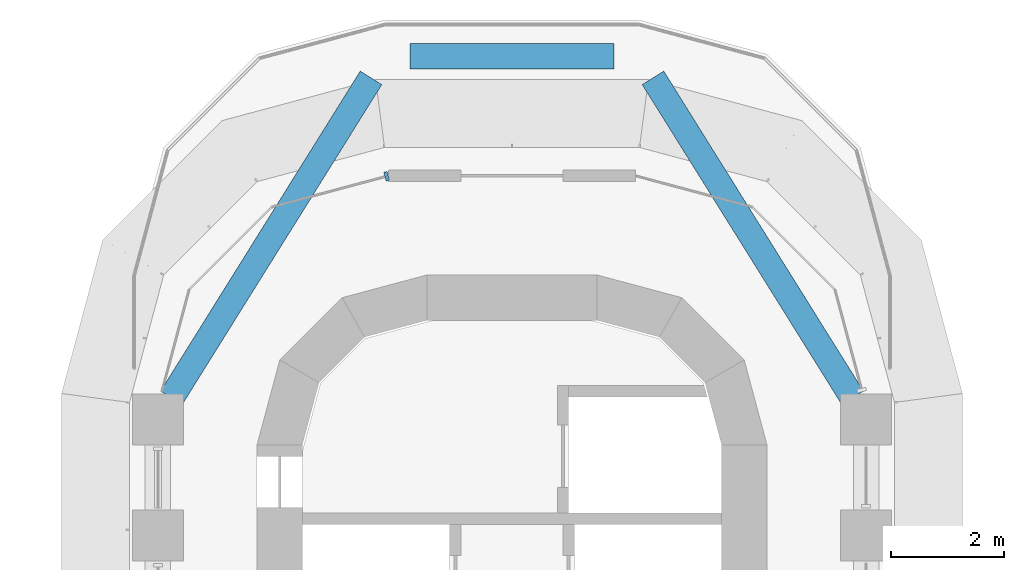
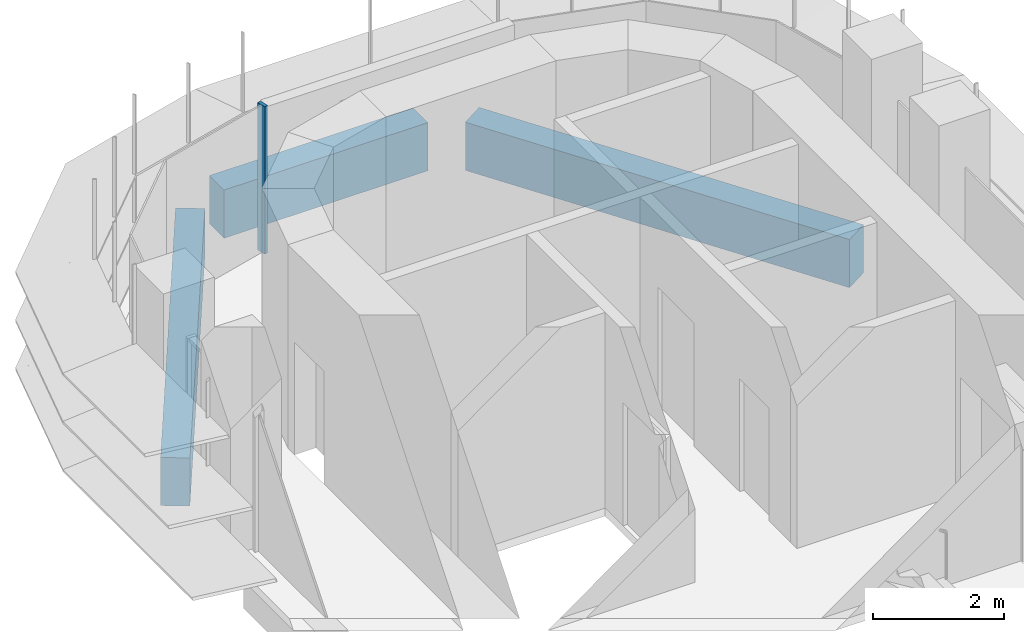
# One storey, part 11 of 22: 3 beams, 1 member, 1 element without a shape of its own.
"""IFC4 building model written with IfcOpenShell, lengths in metres."""

from ifc_helpers import new_model, si_unit, direction, frame, origin, origin_2d, place, context, subcontext, project, spatial, polyline, rectangle, outline, extrude, source, transform, mapped, material, material_profile, profile_set, type_object, element, aggregate, save


model = new_model("IFC4")

# Units and contexts
model_context = context("Model", 3, precision=1e-05, world=origin(), true_north=direction((0.0, 1.0)))
body_context = subcontext(model_context, "Body", "Model", "MODEL_VIEW")
ifc_project = project(units=[si_unit("LENGTHUNIT", "METRE"), si_unit("AREAUNIT", "SQUARE_METRE"), si_unit("VOLUMEUNIT", "CUBIC_METRE"), si_unit("PLANEANGLEUNIT", "RADIAN"), si_unit("MASSUNIT", "GRAM", prefix="KILO")], contexts=[model_context])

# Site, building, storey
site_placement = place(None, origin())
site = spatial("IfcSite", under=ifc_project, at=site_placement, CompositionType="ELEMENT")
building_placement = place(site_placement, origin())
building = spatial("IfcBuilding", under=site, at=building_placement, Name="Zarbagh Exchange Tower", CompositionType="ELEMENT")
storey_placement = place(building_placement, frame((0.0, 0.0, 94.199951171875)))
storey = spatial("IfcBuildingStorey", under=building, at=storey_placement, Name="L21", CompositionType="ELEMENT", Elevation=94.199951171875)

# Beams
ifc_material_1 = material(Name="Concrete C60/75", Category="concrete")
ifc_material_profile = material_profile(ifc_material_1, rectangle(XDim=0.449951171875, YDim=0.89990234375, at=origin_2d()), Name="RC spandrel beam 450 x 900 C60/75")
ifc_profile_set = profile_set([ifc_material_profile], Name="Concrete C60/75")
beam_type = type_object("IfcBeamType", Name="RC spandrel beam 450 x 900 C60/75", PredefinedType="SPANDREL", material=ifc_profile_set)
beam_1_placement = place(storey_placement, frame((-6.01171875, 27.081787109375, -0.599853515625), z_axis=(0.52939211169, 0.848377269898, 0.0), x_axis=(-0.848377269898, 0.52939211169, 0.0)))
element("IfcBeam", 1, at=beam_1_placement, inside=storey, type_object=beam_type, Name="RC spandrel beam", PredefinedType="SPANDREL", context=body_context, shape_type="SweptSolid", body=[
    extrude(rectangle(XDim=0.449951171875, YDim=0.89990234375, at=origin_2d()), origin(), (0.0, 0.0, 1.0), 6.655517578125),
])
beam_2_placement = place(storey_placement, frame((-1.800048828125, 33.110107421875, -0.599853515625), z_axis=(1.0, 0.0, 0.0), x_axis=(0.0, 1.0, 0.0)))
element("IfcBeam", 2, at=beam_2_placement, inside=storey, type_object=beam_type, Name="RC spandrel beam", PredefinedType="SPANDREL", context=body_context, shape_type="SweptSolid", body=[
    extrude(rectangle(XDim=0.449951171875, YDim=0.89990234375, at=origin_2d()), origin(), (0.0, 0.0, 1.0), 3.60009765625),
])
beam_3_placement = place(storey_placement, frame((2.48828125, 32.728271484375, -0.599853515625), z_axis=(0.52939211169, -0.848377269898, 0.0), x_axis=(0.848377269898, 0.52939211169, 0.0)))
element("IfcBeam", 3, at=beam_3_placement, inside=storey, type_object=beam_type, Name="RC spandrel beam", PredefinedType="SPANDREL", context=body_context, shape_type="SweptSolid", body=[
    extrude(rectangle(XDim=0.449951171875, YDim=0.89990234375, at=origin_2d()), origin(), (0.0, 0.0, 1.0), 6.655517578125),
])

# Curtain wall, member
ifc_material_2 = material(Name="Anodised aluminium frame and glazing", Category="aluminium")
curtain_wall_type = type_object("IfcCurtainWallType", Name="CWA Ribbon glazing, lower zones", PredefinedType="NOTDEFINED", material=ifc_material_2)
curtain_wall_placement = place(storey_placement, origin())
curtain_wall = element("IfcCurtainWall", 4, at=curtain_wall_placement, inside=storey, type_object=curtain_wall_type, Name="CWA53 curtain wall", PredefinedType="NOTDEFINED")
ifc_material_3 = material(Name="Anodised aluminium frame", Category="aluminium")
member_type = type_object("IfcMemberType", Name="MUA Mullion, anodised aluminium frame", PredefinedType="MULLION", material=ifc_material_3)
shared_shape = source(origin(), body_context, "Body", "SweptSolid", [
    extrude(outline(polyline([(0.0, -0.080078125), (0.06005859375, -0.080078125), (0.06005859375, 0.080078125), (0.0, 0.080078125), (0.0, -0.080078125)])), origin(), (0.0, 0.0, 1.0), 2.75),
])
member_placement = place(storey_placement, origin())
member = element("IfcMember", 5, at=member_placement, type_object=member_type, Name="CWA53 mullion 1.1", PredefinedType="MULLION", context=body_context, shape_type="MappedRepresentation", body=[
    mapped(shared_shape, transform((-2.18408203125, 31.0, 0.0), x_axis=(-0.965924289636, -0.258824779902, 0.0), y_axis=(0.258824779902, -0.965924289636, 0.0), z_axis=(0.0, 0.0, 1.0))),
])
aggregate(curtain_wall, [member])

save(model, "model.ifc")
